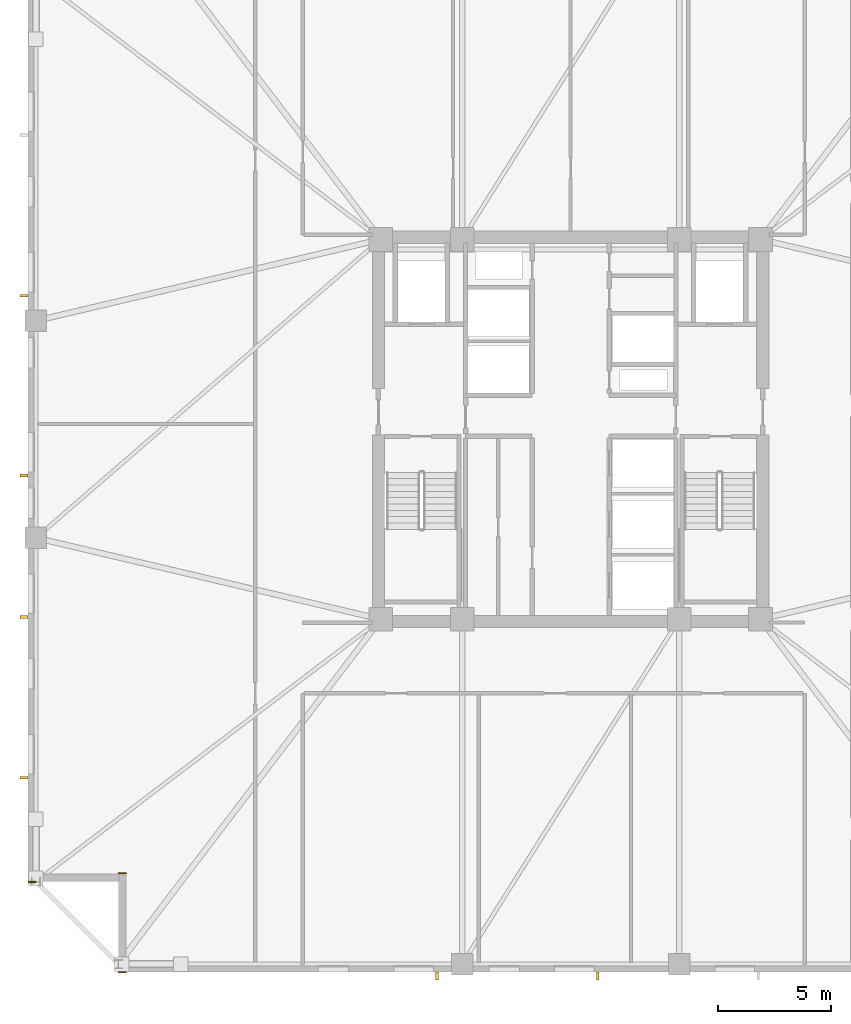
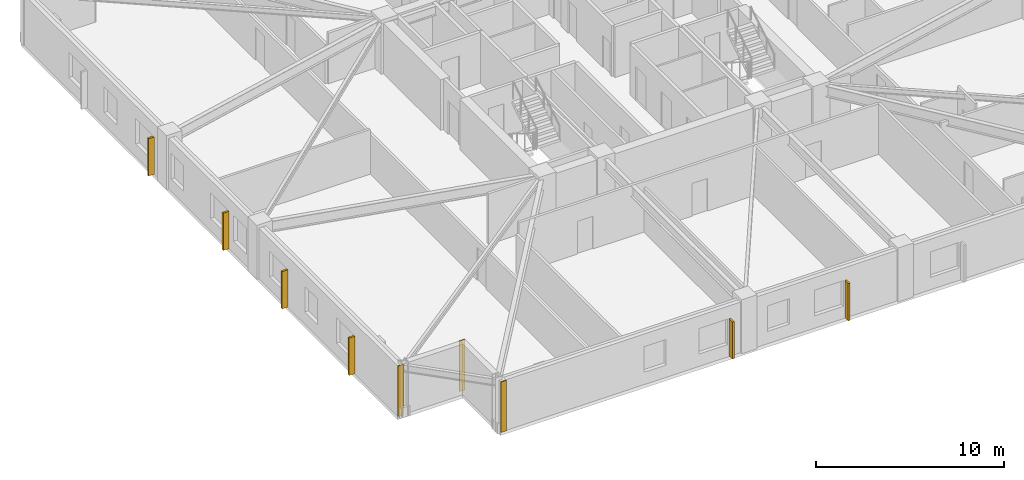
# One storey, part 6 of 10: 6 shading devices, 3 coverings.
"""IFC4 building model written with IfcOpenShell, lengths in metres."""

from ifc_helpers import new_model, si_unit, direction, frame, frame_2d, origin, origin_2d, place, context, subcontext, project, spatial, rectangle, extrude, material, layer, layer_set, type_object, element, save


model = new_model("IFC4")

# Units and contexts
model_context = context("Model", 3, precision=1e-05, world=origin(), true_north=direction((0.0, 1.0)))
body_context = subcontext(model_context, "Body", "Model", "MODEL_VIEW")
ifc_project = project(units=[si_unit("LENGTHUNIT", "METRE"), si_unit("AREAUNIT", "SQUARE_METRE"), si_unit("VOLUMEUNIT", "CUBIC_METRE"), si_unit("PLANEANGLEUNIT", "RADIAN"), si_unit("MASSUNIT", "GRAM", prefix="KILO")], contexts=[model_context])

# Site, building, storey
site_placement = place(None, origin())
site = spatial("IfcSite", under=ifc_project, at=site_placement, CompositionType="ELEMENT")
building_placement = place(site_placement, origin())
building = spatial("IfcBuilding", under=site, at=building_placement, Name="Cairnveth Concourse Tower", CompositionType="ELEMENT")
storey_placement = place(building_placement, frame((0.0, 0.0, 186.5)))
storey = spatial("IfcBuildingStorey", under=building, at=storey_placement, Name="L51", CompositionType="ELEMENT", Elevation=186.5)

# Coverings
ifc_material_1 = material(Name="Dressed Melbourne Bluestone Cladding", Category="masonry")
ifc_layer = layer(ifc_material_1, 0.050048828125)
ifc_layer_set = layer_set([ifc_layer], Name="Dressed Melbourne Bluestone Cladding")
covering_type = type_object("IfcCoveringType", Name="DRESSED BLUESTONE PLINTH CLADDING 50", PredefinedType="CLADDING", material=ifc_layer_set)
for number, where, z_axis, x_axis, name in (
    (1, (32.340087890625, 14.97998046875, 0.0), (0.0, 0.0, 1.0), (-1.0, 0.0, 0.0), "Melbourne Bluestone Corner Quoin L51-759"),
    (2, (32.340087890625, 19.360107421875, 0.0), (0.0, 0.0, 1.0), (-1.0, 0.0, 0.0), "Melbourne Bluestone Corner Quoin L51-760"),
    (3, (28.340087890625, 18.97998046875, 0.0), (0.0, 0.0, 1.0), (-1.0, 0.0, 0.0), "Melbourne Bluestone Corner Quoin L51-761"),
):
    element("IfcCovering", number, at=place(storey_placement, frame(where, z_axis=z_axis, x_axis=x_axis)), inside=storey, type_object=covering_type, Name=name, PredefinedType="CLADDING", context=body_context, shape_type="SweptSolid", body=[
        extrude(rectangle(XDim=0.340087890625, YDim=0.050048828125, at=frame_2d((0.169921875, 0.0))), origin(), (0.0, 0.0, 1.0), 3.280029296875),
    ])

# Shading devices
ifc_material_2 = material(Name="Architectural Bronze Anodised Aluminium 6063-T6", Category="aluminium")
shading_device_type = type_object("IfcShadingDeviceType", Name="GOTHIC BRONZE VERTICAL LANCET FIN", PredefinedType="USERDEFINED", material=ifc_material_2)
for number, where, z_axis, x_axis, name in (
    (4, (53.194091796875, 14.824951171875, 0.030029296875), (0.0, 0.0, 1.0), (1.0, 0.0, 0.0), "Gothic Bronze Vertical Fin L51-3-5"),
    (5, (46.0869140625, 14.824951171875, 0.030029296875), (0.0, 0.0, 1.0), (1.0, 0.0, 0.0), "Gothic Bronze Vertical Fin L51-3-7"),
    (6, (27.824951171875, 23.591796875, 0.030029296875), (0.0, 0.0, 1.0), (0.0, 1.0, 0.0), "Gothic Bronze Vertical Fin L51-6-1"),
    (7, (27.824951171875, 30.698974609375, 0.030029296875), (0.0, 0.0, 1.0), (0.0, 1.0, 0.0), "Gothic Bronze Vertical Fin L51-6-3"),
    (8, (27.824951171875, 36.9560546875, 0.030029296875), (0.0, 0.0, 1.0), (0.0, 1.0, 0.0), "Gothic Bronze Vertical Fin L51-6-5"),
    (9, (27.824951171875, 44.9130859375, 0.030029296875), (0.0, 0.0, 1.0), (0.0, 1.0, 0.0), "Gothic Bronze Vertical Fin L51-6-7"),
):
    element("IfcShadingDevice", number, at=place(storey_placement, frame(where, z_axis=z_axis, x_axis=x_axis)), inside=storey, type_object=shading_device_type, Name=name, ObjectType="VERTICAL FIN", PredefinedType="USERDEFINED", context=body_context, shape_type="SweptSolid", body=[
        extrude(rectangle(XDim=0.1201171875, YDim=0.360107421875, at=origin_2d()), origin(), (0.0, 0.0, 1.0), 2.419921875),
    ])

save(model, "model.ifc")
